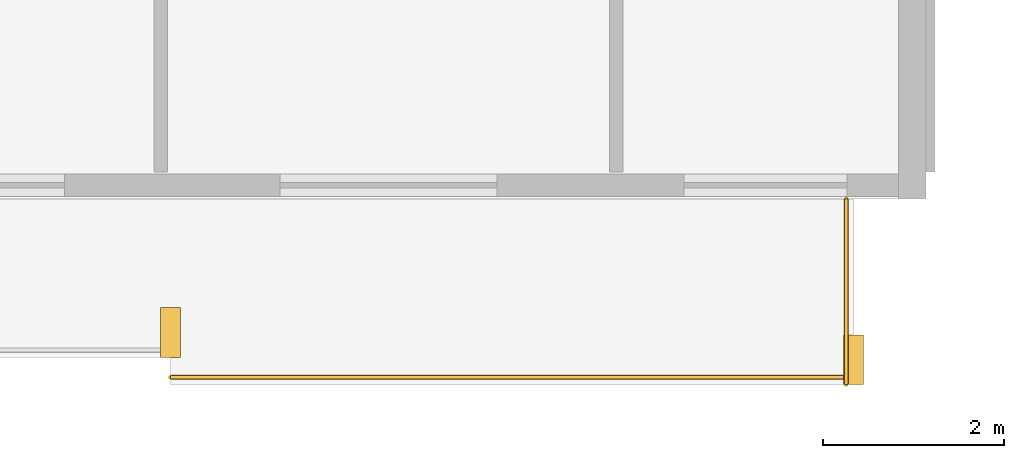
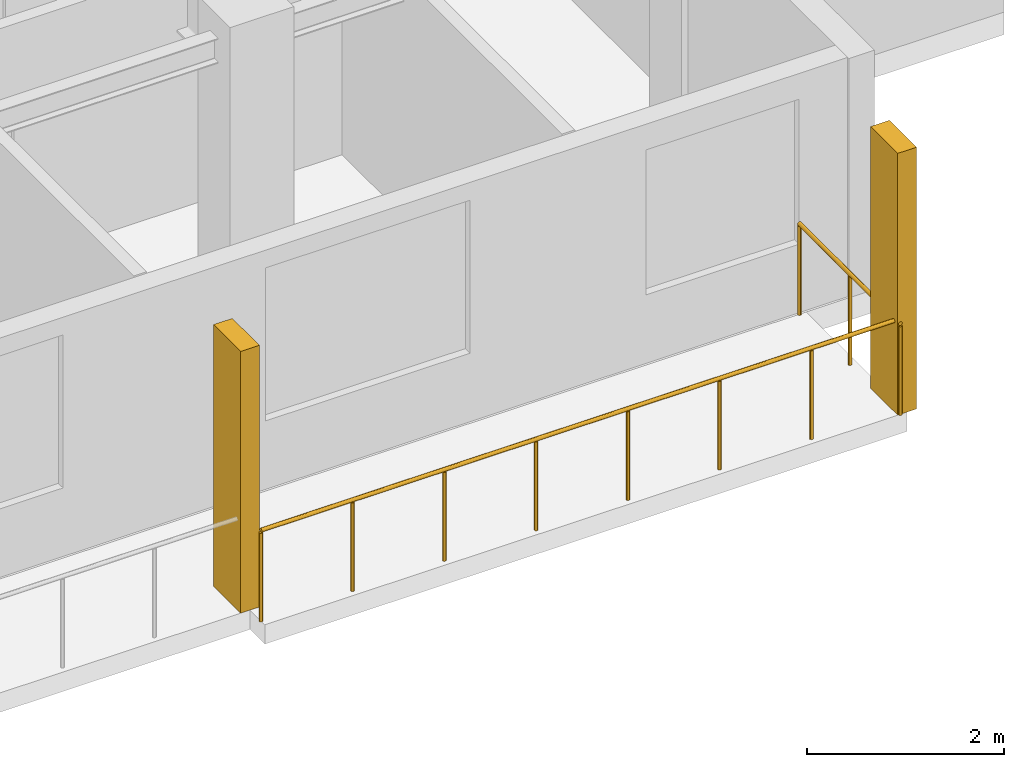
# One storey, part 20 of 22: 2 railings, 2 shading devices.
"""IFC4 building model written with IfcOpenShell, lengths in metres."""

from ifc_helpers import new_model, si_unit, direction, frame, origin, origin_2d, place, context, subcontext, project, spatial, rectangle, circle, extrude, material, type_object, element, save


model = new_model("IFC4")

# Units and contexts
model_context = context("Model", 3, precision=1e-05, world=origin(), true_north=direction((0.0, 1.0)))
body_context = subcontext(model_context, "Body", "Model", "MODEL_VIEW")
ifc_project = project(units=[si_unit("LENGTHUNIT", "METRE"), si_unit("AREAUNIT", "SQUARE_METRE"), si_unit("VOLUMEUNIT", "CUBIC_METRE"), si_unit("PLANEANGLEUNIT", "RADIAN"), si_unit("MASSUNIT", "GRAM", prefix="KILO")], contexts=[model_context])

# Site, building, storey
site_placement = place(None, origin())
site = spatial("IfcSite", under=ifc_project, at=site_placement, CompositionType="ELEMENT")
building_placement = place(site_placement, origin())
building = spatial("IfcBuilding", under=site, at=building_placement, Name="Korimba Cascade Residences", CompositionType="ELEMENT")
storey_placement = place(building_placement, frame((0.0, 0.0, 197.85009765625)))
storey = spatial("IfcBuildingStorey", under=building, at=storey_placement, Name="L57", CompositionType="ELEMENT", Elevation=197.85009765625)

# Railings
ifc_material_1 = material(Name="Laminated Glass and Bronze Balustrade", Category="glass")
railing_type = type_object("IfcRailingType", Name="RLG-LOG-1150", PredefinedType="BALUSTRADE", material=ifc_material_1)
railing_1_placement = place(storey_placement, frame((120.55712890625, -9.77001953125, 0.0)))
element("IfcRailing", 1, at=railing_1_placement, inside=storey, type_object=railing_type, Name="L57 Perimeter Guardrail RLG-L57-T2-LOG-06", PredefinedType="BALUSTRADE", context=body_context, shape_type="SweptSolid", body=[
    extrude(circle(Radius=0.02392578125, at=origin_2d()), frame((0.0, 0.0, 1.1259765625), z_axis=(1.0, 0.0, 0.0), x_axis=(0.0, 1.0, 0.0)), (0.0, 0.0, 1.0), 7.54296875),
    extrude(circle(Radius=0.02099609375, at=origin_2d()), origin(), (0.0, 0.0, 1.0), 1.101806640625),
    extrude(circle(Radius=0.02099609375, at=origin_2d()), frame((1.07763671875, 0.0, 0.0)), (0.0, 0.0, 1.0), 1.101806640625),
    extrude(circle(Radius=0.02099609375, at=origin_2d()), frame((2.155029296875, 0.0, 0.0)), (0.0, 0.0, 1.0), 1.101806640625),
    extrude(circle(Radius=0.02099609375, at=origin_2d()), frame((3.232666015625, 0.0, 0.0)), (0.0, 0.0, 1.0), 1.101806640625),
    extrude(circle(Radius=0.02099609375, at=origin_2d()), frame((4.310302734375, 0.0, 0.0)), (0.0, 0.0, 1.0), 1.101806640625),
    extrude(circle(Radius=0.02099609375, at=origin_2d()), frame((5.387939453125, 0.0, 0.0)), (0.0, 0.0, 1.0), 1.101806640625),
    extrude(circle(Radius=0.02099609375, at=origin_2d()), frame((6.46533203125, 0.0, 0.0)), (0.0, 0.0, 1.0), 1.101806640625),
    extrude(circle(Radius=0.02099609375, at=origin_2d()), frame((7.54296875, 0.0, 0.0)), (0.0, 0.0, 1.0), 1.101806640625),
])
railing_2_placement = place(storey_placement, frame((128.02001953125, -9.85009765625, 0.0)))
element("IfcRailing", 2, at=railing_2_placement, inside=storey, type_object=railing_type, Name="L57 Perimeter Guardrail RLG-L57-T2-LOG-07", PredefinedType="BALUSTRADE", context=body_context, shape_type="SweptSolid", body=[
    extrude(circle(Radius=0.02392578125, at=origin_2d()), frame((0.0, 0.0, 1.1259765625), z_axis=(0.0, 1.0, 0.0), x_axis=(-1.0, 0.0, 0.0)), (0.0, 0.0, 1.0), 2.050048828125),
    extrude(circle(Radius=0.02099609375, at=origin_2d()), origin(), (0.0, 0.0, 1.0), 1.101806640625),
    extrude(circle(Radius=0.02099609375, at=origin_2d()), frame((0.0, 1.02490234375, 0.0)), (0.0, 0.0, 1.0), 1.101806640625),
    extrude(circle(Radius=0.02099609375, at=origin_2d()), frame((0.0, 2.050048828125, 0.0)), (0.0, 0.0, 1.0), 1.101806640625),
])

# Shading devices
ifc_material_2 = material(Name="Honed Sandstone Precast Fin", Category="masonry")
shading_device_type = type_object("IfcShadingDeviceType", Name="SHD-FIN-550", PredefinedType="USERDEFINED", material=ifc_material_2)
for number, where, z_axis, x_axis, name in (
    (3, (120.55712890625, -9.27490234375, 0.0), (0.0, 0.0, 1.0), (1.0, 0.0, 0.0), "L57 T2 Warm-Stone Loggia Fin 7"),
    (4, (128.10009765625, -9.574951171875, 0.0), (0.0, 0.0, 1.0), (1.0, 0.0, 0.0), "L57 T2 Warm-Stone Loggia Fin 8"),
):
    element("IfcShadingDevice", number, at=place(storey_placement, frame(where, z_axis=z_axis, x_axis=x_axis)), inside=storey, type_object=shading_device_type, Name=name, ObjectType="FIN", PredefinedType="USERDEFINED", context=body_context, shape_type="SweptSolid", body=[
        extrude(rectangle(XDim=0.219970703125, YDim=0.550048828125, at=origin_2d()), origin(), (0.0, 0.0, 1.0), 3.25),
    ])

save(model, "model.ifc")
